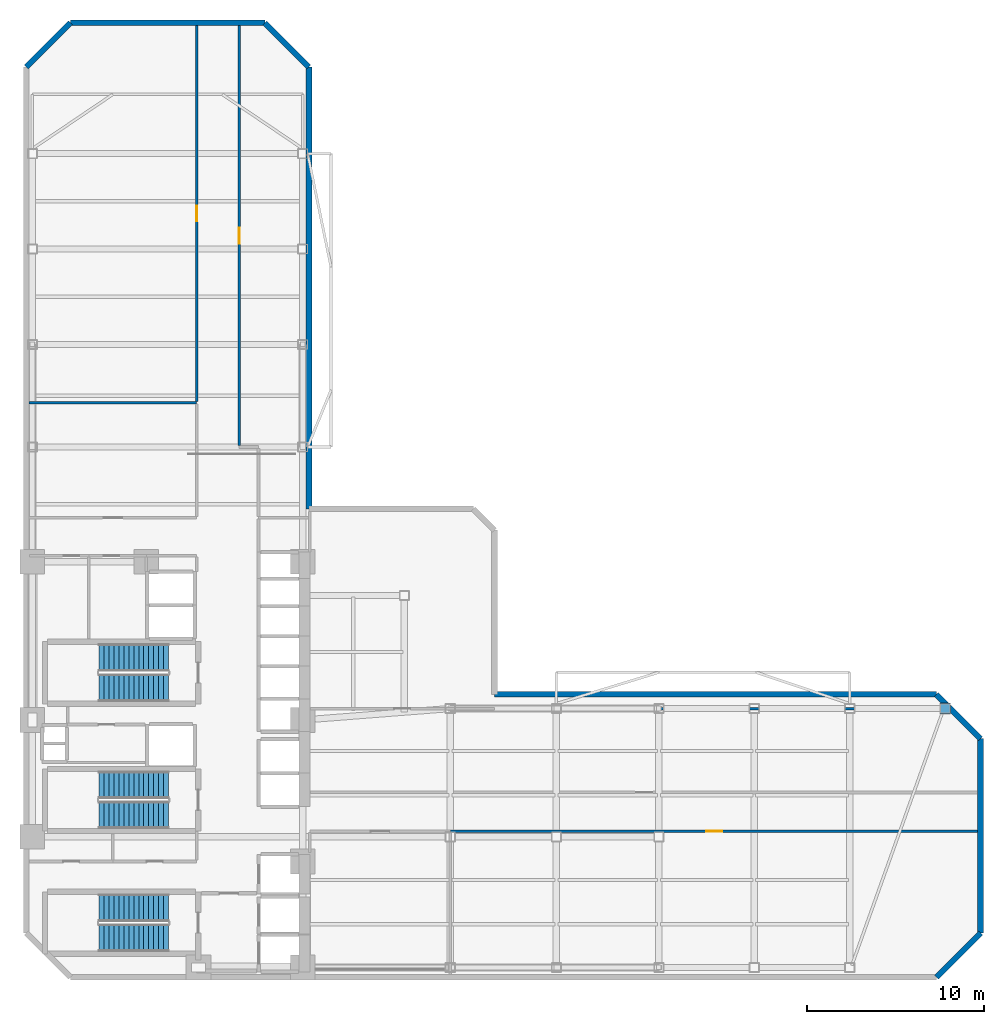
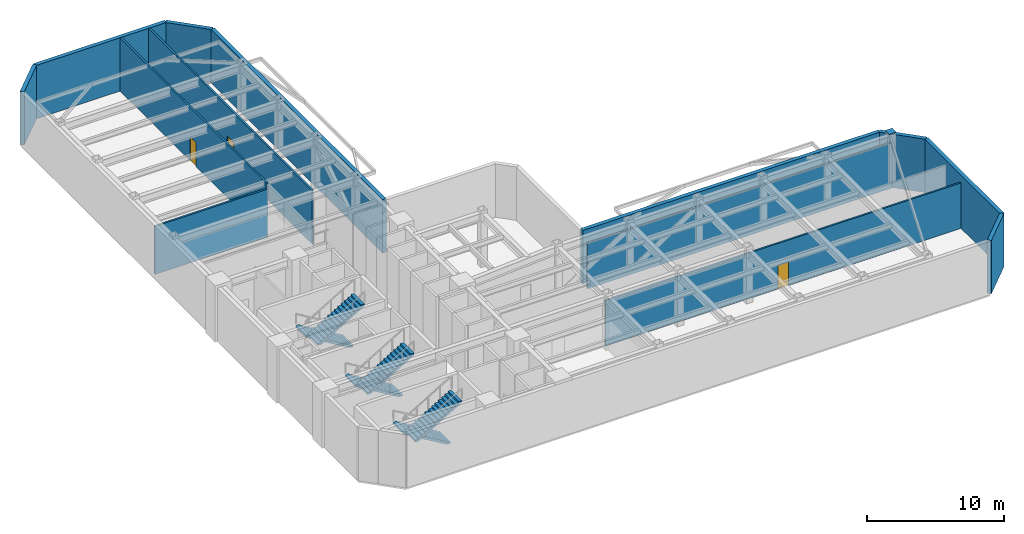
# One storey, part 5 of 7: 13 walls, 6 stair flights, 3 doors, 1 discrete accessory, 3 openings, 3 elements without a shape of their own.
"""IFC4 building model written with IfcOpenShell, lengths in metres."""

from ifc_helpers import new_model, si_unit, direction, frame, frame_2d, origin, origin_2d, place, context, subcontext, project, spatial, polyline, rectangle, outline, extrude, material, layer, layer_set, type_object, element, fill, aggregate, save


model = new_model("IFC4")

# Units and contexts
model_context = context("Model", 3, precision=1e-05, world=origin(), true_north=direction((0.0, 1.0)))
body_context = subcontext(model_context, "Body", "Model", "MODEL_VIEW")
ifc_project = project(units=[si_unit("LENGTHUNIT", "METRE"), si_unit("AREAUNIT", "SQUARE_METRE"), si_unit("VOLUMEUNIT", "CUBIC_METRE"), si_unit("PLANEANGLEUNIT", "RADIAN"), si_unit("MASSUNIT", "GRAM", prefix="KILO")], contexts=[model_context])

# Site, building, storey
site_placement = place(None, origin())
site = spatial("IfcSite", under=ifc_project, at=site_placement, CompositionType="ELEMENT")
building_placement = place(site_placement, origin())
building = spatial("IfcBuilding", under=site, at=building_placement, Name="Mawjaban Terraces University", CompositionType="ELEMENT")
storey_placement = place(building_placement, frame((0.0, 0.0, 93.39990234375)))
storey = spatial("IfcBuildingStorey", under=building, at=storey_placement, Name="L22", CompositionType="ELEMENT", Elevation=93.39990234375)

# Walls
ifc_material_1 = material(Name="Fire-rated gypsum board on steel stud", Category="steel")
ifc_layer_1 = layer(ifc_material_1, 0.159912109375)
ifc_layer_set_1 = layer_set([ifc_layer_1], Name="Fire-rated gypsum board on steel stud")
wall_type_1 = type_object("IfcWallType", Name="CorridorPartition_160", PredefinedType="PARTITIONING", material=ifc_layer_set_1)
wall_1_placement = place(storey_placement, frame((31.64990234375, 32.5, 0.0), z_axis=(0.0, 0.0, 1.0), x_axis=(-1.0, 0.0, 0.0)))
element("IfcWall", 1, at=wall_1_placement, inside=storey, type_object=wall_type_1, Name="L22 Designated Smoke-Protected Refuge Area North Partition 10", PredefinedType="PARTITIONING", context=body_context, shape_type="SweptSolid", body=[
    extrude(rectangle(XDim=9.494873046875, YDim=0.159912109375, at=frame_2d((4.74755859375, 0.0))), origin(), (0.0, 0.0, 1.0), 4.277099609375),
])
ifc_material_2 = material(Name="Insulated terracotta rainscreen on concrete backup C40/50", Category="masonry")
ifc_layer_2 = layer(ifc_material_2, 0.320068359375)
ifc_layer_set_2 = layer_set([ifc_layer_2], Name="Insulated terracotta rainscreen on concrete backup C40/50")
wall_type_2 = type_object("IfcWallType", Name="ExtTerracottaWall_320", PredefinedType="SOLIDWALL", material=ifc_layer_set_2)
wall_2_placement = place(storey_placement, frame((73.5, 0.0, 0.0), z_axis=(0.0, 0.0, 1.0), x_axis=(0.707106781187, 0.707106781187, 0.0)))
element("IfcWall", 2, at=wall_2_placement, inside=storey, type_object=wall_type_2, Name="L22 Exterior Terracotta Wall 2", PredefinedType="SOLIDWALL", context=body_context, shape_type="SweptSolid", body=[
    extrude(rectangle(XDim=3.53564453125, YDim=0.320068359375, at=frame_2d((1.767822265625, 0.0))), origin(), (0.0, 0.0, 1.0), 4.739990234375),
])
wall_3_placement = place(storey_placement, frame((76.0, 2.5, 0.0), z_axis=(0.0, 0.0, 1.0), x_axis=(0.0, 1.0, 0.0)))
element("IfcWall", 3, at=wall_3_placement, inside=storey, type_object=wall_type_2, Name="L22 Exterior Terracotta Wall 3", PredefinedType="SOLIDWALL", context=body_context, shape_type="SweptSolid", body=[
    extrude(rectangle(XDim=11.0, YDim=0.320068359375, at=frame_2d((5.5, 0.0))), origin(), (0.0, 0.0, 1.0), 4.739990234375),
])
wall_4_placement = place(storey_placement, frame((76.0, 13.5, 0.0), z_axis=(0.0, 0.0, 1.0), x_axis=(-0.707106781187, 0.707106781187, 0.0)))
element("IfcWall", 4, at=wall_4_placement, inside=storey, type_object=wall_type_2, Name="L22 Exterior Terracotta Wall 4", PredefinedType="SOLIDWALL", context=body_context, shape_type="SweptSolid", body=[
    extrude(rectangle(XDim=3.53564453125, YDim=0.320068359375, at=frame_2d((1.767822265625, 0.0))), origin(), (0.0, 0.0, 1.0), 4.739990234375),
])
for number, where, z_axis, x_axis, name in (
    (5, (73.5, 16.0, 0.0), (0.0, 0.0, 1.0), (-1.0, 0.0, 0.0), "L22 Exterior Terracotta Wall 5"),
    (6, (38.0, 26.5, 0.0), (0.0, 0.0, 1.0), (0.0, 1.0, 0.0), "L22 Exterior Terracotta Wall 9"),
):
    element("IfcWall", number, at=place(storey_placement, frame(where, z_axis=z_axis, x_axis=x_axis)), inside=storey, type_object=wall_type_2, Name=name, PredefinedType="SOLIDWALL", context=body_context, shape_type="SweptSolid", body=[
        extrude(rectangle(XDim=25.0, YDim=0.320068359375, at=frame_2d((12.5, 0.0))), origin(), (0.0, 0.0, 1.0), 4.739990234375),
    ])
wall_5_placement = place(storey_placement, frame((38.0, 51.5, 0.0), z_axis=(0.0, 0.0, 1.0), x_axis=(-0.707106781187, 0.707106781187, 0.0)))
element("IfcWall", 7, at=wall_5_placement, inside=storey, type_object=wall_type_2, Name="L22 Exterior Terracotta Wall 10", PredefinedType="SOLIDWALL", context=body_context, shape_type="SweptSolid", body=[
    extrude(rectangle(XDim=3.53564453125, YDim=0.320068359375, at=frame_2d((1.767822265625, 0.0))), origin(), (0.0, 0.0, 1.0), 4.739990234375),
])
wall_6_placement = place(storey_placement, frame((35.5, 54.0, 0.0), z_axis=(0.0, 0.0, 1.0), x_axis=(-1.0, 0.0, 0.0)))
element("IfcWall", 8, at=wall_6_placement, inside=storey, type_object=wall_type_2, Name="L22 Exterior Terracotta Wall 11", PredefinedType="SOLIDWALL", context=body_context, shape_type="SweptSolid", body=[
    extrude(rectangle(XDim=11.0, YDim=0.320068359375, at=frame_2d((5.5, 0.0))), origin(), (0.0, 0.0, 1.0), 4.739990234375),
])
wall_7_placement = place(storey_placement, frame((24.5, 54.0, 0.0), z_axis=(0.0, 0.0, 1.0), x_axis=(-0.707106781187, -0.707106781187, 0.0)))
element("IfcWall", 9, at=wall_7_placement, inside=storey, type_object=wall_type_2, Name="L22 Exterior Terracotta Wall 12", PredefinedType="SOLIDWALL", context=body_context, shape_type="SweptSolid", body=[
    extrude(rectangle(XDim=3.53564453125, YDim=0.320068359375, at=frame_2d((1.767822265625, 0.0))), origin(), (0.0, 0.0, 1.0), 4.739990234375),
])

# Wall, opening, door
ifc_material_3 = material(Name="Moisture-resistant gypsum board on steel stud", Category="steel")
ifc_layer_3 = layer(ifc_material_3, 0.14501953125)
ifc_layer_set_3 = layer_set([ifc_layer_3], Name="Moisture-resistant gypsum board on steel stud")
wall_type_3 = type_object("IfcWallType", Name="LabPartition_145", PredefinedType="PARTITIONING", material=ifc_layer_set_3)
wall_8_placement = place(storey_placement, frame((46.0, 8.25, 0.0), z_axis=(0.0, 0.0, 1.0), x_axis=(1.0, 0.0, 0.0)))
wall_8 = element("IfcWall", 10, at=wall_8_placement, inside=storey, type_object=wall_type_3, Name="L22 Mechanical Plant Service Corridor East Partition 15", PredefinedType="PARTITIONING", context=body_context, shape_type="SweptSolid", body=[
    extrude(rectangle(XDim=29.844970703125, YDim=0.14501953125, at=frame_2d((14.92236328125, 0.0))), origin(), (0.0, 0.0, 1.0), 4.045166015625),
])
opening_1_placement = place(wall_8_placement, frame((14.472900390625, 0.0, 0.0)))
opening_1 = element("IfcOpeningElement", 11, at=opening_1_placement, cuts=wall_8, Name="Opening ID-090", PredefinedType="OPENING", context=body_context, shape_type="SweptSolid", body=[
    extrude(rectangle(XDim=0.89990234375, YDim=2.10009765625, at=frame_2d((0.449951171875, 1.050048828125))), frame((0.0, 0.08251953125, 0.0), z_axis=(0.0, -1.0, 0.0), x_axis=(1.0, 0.0, 0.0)), (0.0, 0.0, 1.0), 0.1650390625),
])
ifc_material_4 = material(Name="Powder-coated steel frame and solid acoustic timber leaf", Category="steel")
door_type = type_object("IfcDoorType", Name="OfficeDoor_900x2100", OperationType="NOTDEFINED", PredefinedType="DOOR", material=ifc_material_4)
door_1_placement = place(opening_1_placement, origin())
door_1 = element("IfcDoor", 12, at=door_1_placement, inside=storey, type_object=door_type, Name="L22 Zoned Dedicated Outdoor Air Plant Room Door", OperationType="SINGLE_SWING_RIGHT", OverallHeight=2.10009765625, OverallWidth=0.89990234375, PredefinedType="DOOR", context=body_context, shape_type="SweptSolid", body=[
    extrude(rectangle(XDim=0.89990234375, YDim=2.10009765625, at=frame_2d((0.449951171875, 1.050048828125))), frame((0.0, 0.02490234375, 0.0), z_axis=(0.0, -1.0, 0.0), x_axis=(1.0, 0.0, 0.0)), (0.0, 0.0, 1.0), 0.050048828125),
])
fill(opening_1, door_1)

# Wall
wall_9_placement = place(storey_placement, frame((74.0810546875, 15.199951171875, 0.0), z_axis=(0.0, 0.0, 1.0), x_axis=(-1.0, 0.0, 0.0)))
element("IfcWall", 13, at=wall_9_placement, inside=storey, type_object=wall_type_3, Name="L22 Heat Recovery Ventilation Fan Room Partition 17", PredefinedType="PARTITIONING", context=body_context, shape_type="SweptSolid", body=[
    extrude(rectangle(XDim=25.5810546875, YDim=0.14501953125, at=frame_2d((12.79052734375, 0.0))), origin(), (0.0, 0.0, 1.0), 4.045166015625),
])

# Wall, opening, door
wall_10_placement = place(storey_placement, frame((31.64990234375, 53.844970703125, 0.0), z_axis=(0.0, 0.0, 1.0), x_axis=(0.0, -1.0, 0.0)))
wall_10 = element("IfcWall", 14, at=wall_10_placement, inside=storey, type_object=wall_type_3, Name="L22 Mechanical Plant Service Corridor North Partition 27", PredefinedType="PARTITIONING", context=body_context, shape_type="SweptSolid", body=[
    extrude(rectangle(XDim=21.27001953125, YDim=0.14501953125, at=frame_2d((10.635009765625, 0.0))), origin(), (0.0, 0.0, 1.0), 4.739990234375),
])
opening_2_placement = place(wall_10_placement, frame((10.18505859375, 0.0, 0.0)))
opening_2 = element("IfcOpeningElement", 15, at=opening_2_placement, cuts=wall_10, Name="Opening ID-090", PredefinedType="OPENING", context=body_context, shape_type="SweptSolid", body=[
    extrude(rectangle(XDim=0.89990234375, YDim=2.10009765625, at=frame_2d((0.449951171875, 1.050048828125))), frame((0.0, 0.08251953125, 0.0), z_axis=(0.0, -1.0, 0.0), x_axis=(1.0, 0.0, 0.0)), (0.0, 0.0, 1.0), 0.1650390625),
])
door_2_placement = place(opening_2_placement, origin())
door_2 = element("IfcDoor", 16, at=door_2_placement, inside=storey, type_object=door_type, Name="L22 Zone Electrical Transformer and Switchgear Room Door", OperationType="SINGLE_SWING_RIGHT", OverallHeight=2.10009765625, OverallWidth=0.89990234375, PredefinedType="DOOR", context=body_context, shape_type="SweptSolid", body=[
    extrude(rectangle(XDim=0.89990234375, YDim=2.10009765625, at=frame_2d((0.449951171875, 1.050048828125))), frame((0.0, 0.02490234375, 0.0), z_axis=(0.0, -1.0, 0.0), x_axis=(1.0, 0.0, 0.0)), (0.0, 0.0, 1.0), 0.050048828125),
])
fill(opening_2, door_2)

wall_11_placement = place(storey_placement, frame((34.050048828125, 30.074951171875, 0.0), z_axis=(0.0, 0.0, 1.0), x_axis=(0.0, 1.0, 0.0)))
wall_11 = element("IfcWall", 17, at=wall_11_placement, inside=storey, type_object=wall_type_3, Name="L22 Mechanical Plant Service Corridor North Partition 28", PredefinedType="PARTITIONING", context=body_context, shape_type="SweptSolid", body=[
    extrude(rectangle(XDim=23.77001953125, YDim=0.14501953125, at=frame_2d((11.885009765625, 0.0))), origin(), (0.0, 0.0, 1.0), 4.739990234375),
])
opening_3_placement = place(wall_11_placement, frame((11.43505859375, 0.0, 0.0)))
opening_3 = element("IfcOpeningElement", 18, at=opening_3_placement, cuts=wall_11, Name="Opening ID-090", PredefinedType="OPENING", context=body_context, shape_type="SweptSolid", body=[
    extrude(rectangle(XDim=0.89990234375, YDim=2.10009765625, at=frame_2d((0.449951171875, 1.050048828125))), frame((0.0, 0.08251953125, 0.0), z_axis=(0.0, -1.0, 0.0), x_axis=(1.0, 0.0, 0.0)), (0.0, 0.0, 1.0), 0.1650390625),
])
door_3_placement = place(opening_3_placement, origin())
door_3 = element("IfcDoor", 19, at=door_3_placement, inside=storey, type_object=door_type, Name="L22 Intermediate Chilled Water Heat Exchanger Room Door", OperationType="SINGLE_SWING_LEFT", OverallHeight=2.10009765625, OverallWidth=0.89990234375, PredefinedType="DOOR", context=body_context, shape_type="SweptSolid", body=[
    extrude(rectangle(XDim=0.89990234375, YDim=2.10009765625, at=frame_2d((0.449951171875, 1.050048828125))), frame((0.0, 0.02490234375, 0.0), z_axis=(0.0, -1.0, 0.0), x_axis=(1.0, 0.0, 0.0)), (0.0, 0.0, 1.0), 0.050048828125),
])
fill(opening_3, door_3)

# Stair, stair flights
ifc_material_5 = material(Name="Concrete C40/50", Category="concrete")
stair_type = type_object("IfcStairType", Name="Stair_Core1550_H50", PredefinedType="HALF_TURN_STAIR", material=ifc_material_5)
stair_1_placement = place(storey_placement, origin())
stair_1 = element("IfcStair", 20, at=stair_1_placement, inside=storey, type_object=stair_type, Name="L22 Core Exit Stair 1", PredefinedType="HALF_TURN_STAIR")
stair_flight_type = type_object("IfcStairFlightType", Name="Flight_Core1550_H50", PredefinedType="STRAIGHT", material=ifc_material_5)
stair_flight_1_placement = place(storey_placement, frame((30.050048828125, 3.925048828125, 0.0), z_axis=(0.0, 0.0, 1.0), x_axis=(-1.0, 0.0, 0.0)))
stair_flight_1 = element("IfcStairFlight", 21, at=stair_flight_1_placement, type_object=stair_flight_type, Name="ST-1 flight 1", NumberOfRisers=15, NumberOfTreads=14, PredefinedType="STRAIGHT", RiserHeight=0.166666667, TreadLength=0.28, context=body_context, shape_type="SweptSolid", body=[
    extrude(outline(polyline([(0.0, 0.0), (0.0, 0.166748046875), (0.280029296875, 0.166748046875), (0.280029296875, 0.333251953125), (0.56005859375, 0.333251953125), (0.56005859375, 0.5), (0.840087890625, 0.5), (0.840087890625, 0.666748046875), (1.1201171875, 0.666748046875), (1.1201171875, 0.833251953125), (1.39990234375, 0.833251953125), (1.39990234375, 1.0), (1.679931640625, 1.0), (1.679931640625, 1.166748046875), (1.9599609375, 1.166748046875), (1.9599609375, 1.333251953125), (2.239990234375, 1.333251953125), (2.239990234375, 1.5), (2.52001953125, 1.5), (2.52001953125, 1.666748046875), (2.800048828125, 1.666748046875), (2.800048828125, 1.833251953125), (3.080078125, 1.833251953125), (3.080078125, 2.0), (3.360107421875, 2.0), (3.360107421875, 2.166748046875), (3.639892578125, 2.166748046875), (3.639892578125, 2.333251953125), (3.919921875, 2.333251953125), (3.919921875, 2.5), (3.919921875, 2.158935546875), (0.29296875, 0.0), (0.0, 0.0)])), frame((0.0, 0.77490234375, 0.0), z_axis=(0.0, -1.0, 0.0), x_axis=(1.0, 0.0, 0.0)), (0.0, 0.0, 1.0), 1.550048828125),
])
stair_flight_2_placement = place(storey_placement, frame((26.1298828125, 2.22509765625, 2.5), z_axis=(0.0, 0.0, 1.0), x_axis=(1.0, 0.0, 0.0)))
stair_flight_2 = element("IfcStairFlight", 22, at=stair_flight_2_placement, type_object=stair_flight_type, Name="ST-1 flight 2", NumberOfRisers=15, NumberOfTreads=14, PredefinedType="STRAIGHT", RiserHeight=0.166666667, TreadLength=0.28, context=body_context, shape_type="SweptSolid", body=[
    extrude(outline(polyline([(0.0, 0.0), (0.0, 0.166748046875), (0.280029296875, 0.166748046875), (0.280029296875, 0.333251953125), (0.56005859375, 0.333251953125), (0.56005859375, 0.5), (0.840087890625, 0.5), (0.840087890625, 0.666748046875), (1.1201171875, 0.666748046875), (1.1201171875, 0.833251953125), (1.39990234375, 0.833251953125), (1.39990234375, 1.0), (1.679931640625, 1.0), (1.679931640625, 1.166748046875), (1.9599609375, 1.166748046875), (1.9599609375, 1.333251953125), (2.239990234375, 1.333251953125), (2.239990234375, 1.5), (2.52001953125, 1.5), (2.52001953125, 1.666748046875), (2.800048828125, 1.666748046875), (2.800048828125, 1.833251953125), (3.080078125, 1.833251953125), (3.080078125, 2.0), (3.360107421875, 2.0), (3.360107421875, 2.166748046875), (3.639892578125, 2.166748046875), (3.639892578125, 2.333251953125), (3.919921875, 2.333251953125), (3.919921875, 2.5), (3.919921875, 2.158935546875), (0.29296875, 0.0), (0.0, 0.0)])), frame((0.0, 0.77490234375, 0.0), z_axis=(0.0, -1.0, 0.0), x_axis=(1.0, 0.0, 0.0)), (0.0, 0.0, 1.0), 1.550048828125),
])
aggregate(stair_1, [stair_flight_1, stair_flight_2])

stair_2_placement = place(storey_placement, origin())
stair_2 = element("IfcStair", 23, at=stair_2_placement, inside=storey, type_object=stair_type, Name="L22 Core Exit Stair 2", PredefinedType="HALF_TURN_STAIR")
stair_flight_3_placement = place(storey_placement, frame((30.050048828125, 18.074951171875, 0.0), z_axis=(0.0, 0.0, 1.0), x_axis=(-1.0, 0.0, 0.0)))
stair_flight_3 = element("IfcStairFlight", 24, at=stair_flight_3_placement, type_object=stair_flight_type, Name="ST-2 flight 1", NumberOfRisers=15, NumberOfTreads=14, PredefinedType="STRAIGHT", RiserHeight=0.166666667, TreadLength=0.28, context=body_context, shape_type="SweptSolid", body=[
    extrude(outline(polyline([(0.0, 0.0), (0.0, 0.166748046875), (0.280029296875, 0.166748046875), (0.280029296875, 0.333251953125), (0.56005859375, 0.333251953125), (0.56005859375, 0.5), (0.840087890625, 0.5), (0.840087890625, 0.666748046875), (1.1201171875, 0.666748046875), (1.1201171875, 0.833251953125), (1.39990234375, 0.833251953125), (1.39990234375, 1.0), (1.679931640625, 1.0), (1.679931640625, 1.166748046875), (1.9599609375, 1.166748046875), (1.9599609375, 1.333251953125), (2.239990234375, 1.333251953125), (2.239990234375, 1.5), (2.52001953125, 1.5), (2.52001953125, 1.666748046875), (2.800048828125, 1.666748046875), (2.800048828125, 1.833251953125), (3.080078125, 1.833251953125), (3.080078125, 2.0), (3.360107421875, 2.0), (3.360107421875, 2.166748046875), (3.639892578125, 2.166748046875), (3.639892578125, 2.333251953125), (3.919921875, 2.333251953125), (3.919921875, 2.5), (3.919921875, 2.158935546875), (0.29296875, 0.0), (0.0, 0.0)])), frame((0.0, 0.77490234375, 0.0), z_axis=(0.0, -1.0, 0.0), x_axis=(1.0, 0.0, 0.0)), (0.0, 0.0, 1.0), 1.550048828125),
])
stair_flight_4_placement = place(storey_placement, frame((26.1298828125, 16.375, 2.5), z_axis=(0.0, 0.0, 1.0), x_axis=(1.0, 0.0, 0.0)))
stair_flight_4 = element("IfcStairFlight", 25, at=stair_flight_4_placement, type_object=stair_flight_type, Name="ST-2 flight 2", NumberOfRisers=15, NumberOfTreads=14, PredefinedType="STRAIGHT", RiserHeight=0.166666667, TreadLength=0.28, context=body_context, shape_type="SweptSolid", body=[
    extrude(outline(polyline([(0.0, 0.0), (0.0, 0.166748046875), (0.280029296875, 0.166748046875), (0.280029296875, 0.333251953125), (0.56005859375, 0.333251953125), (0.56005859375, 0.5), (0.840087890625, 0.5), (0.840087890625, 0.666748046875), (1.1201171875, 0.666748046875), (1.1201171875, 0.833251953125), (1.39990234375, 0.833251953125), (1.39990234375, 1.0), (1.679931640625, 1.0), (1.679931640625, 1.166748046875), (1.9599609375, 1.166748046875), (1.9599609375, 1.333251953125), (2.239990234375, 1.333251953125), (2.239990234375, 1.5), (2.52001953125, 1.5), (2.52001953125, 1.666748046875), (2.800048828125, 1.666748046875), (2.800048828125, 1.833251953125), (3.080078125, 1.833251953125), (3.080078125, 2.0), (3.360107421875, 2.0), (3.360107421875, 2.166748046875), (3.639892578125, 2.166748046875), (3.639892578125, 2.333251953125), (3.919921875, 2.333251953125), (3.919921875, 2.5), (3.919921875, 2.158935546875), (0.29296875, 0.0), (0.0, 0.0)])), frame((0.0, 0.77490234375, 0.0), z_axis=(0.0, -1.0, 0.0), x_axis=(1.0, 0.0, 0.0)), (0.0, 0.0, 1.0), 1.550048828125),
])
aggregate(stair_2, [stair_flight_3, stair_flight_4])

stair_3_placement = place(storey_placement, origin())
stair_3 = element("IfcStair", 26, at=stair_3_placement, inside=storey, type_object=stair_type, Name="L22 Core Exit Stair 3", PredefinedType="HALF_TURN_STAIR")
stair_flight_5_placement = place(storey_placement, frame((30.050048828125, 10.875, 0.0), z_axis=(0.0, 0.0, 1.0), x_axis=(-1.0, 0.0, 0.0)))
stair_flight_5 = element("IfcStairFlight", 27, at=stair_flight_5_placement, type_object=stair_flight_type, Name="ST-3 flight 1", NumberOfRisers=15, NumberOfTreads=14, PredefinedType="STRAIGHT", RiserHeight=0.166666667, TreadLength=0.28, context=body_context, shape_type="SweptSolid", body=[
    extrude(outline(polyline([(0.0, 0.0), (0.0, 0.166748046875), (0.280029296875, 0.166748046875), (0.280029296875, 0.333251953125), (0.56005859375, 0.333251953125), (0.56005859375, 0.5), (0.840087890625, 0.5), (0.840087890625, 0.666748046875), (1.1201171875, 0.666748046875), (1.1201171875, 0.833251953125), (1.39990234375, 0.833251953125), (1.39990234375, 1.0), (1.679931640625, 1.0), (1.679931640625, 1.166748046875), (1.9599609375, 1.166748046875), (1.9599609375, 1.333251953125), (2.239990234375, 1.333251953125), (2.239990234375, 1.5), (2.52001953125, 1.5), (2.52001953125, 1.666748046875), (2.800048828125, 1.666748046875), (2.800048828125, 1.833251953125), (3.080078125, 1.833251953125), (3.080078125, 2.0), (3.360107421875, 2.0), (3.360107421875, 2.166748046875), (3.639892578125, 2.166748046875), (3.639892578125, 2.333251953125), (3.919921875, 2.333251953125), (3.919921875, 2.5), (3.919921875, 2.158935546875), (0.29296875, 0.0), (0.0, 0.0)])), frame((0.0, 0.77490234375, 0.0), z_axis=(0.0, -1.0, 0.0), x_axis=(1.0, 0.0, 0.0)), (0.0, 0.0, 1.0), 1.550048828125),
])
stair_flight_6_placement = place(storey_placement, frame((26.1298828125, 9.175048828125, 2.5), z_axis=(0.0, 0.0, 1.0), x_axis=(1.0, 0.0, 0.0)))
stair_flight_6 = element("IfcStairFlight", 28, at=stair_flight_6_placement, type_object=stair_flight_type, Name="ST-3 flight 2", NumberOfRisers=15, NumberOfTreads=14, PredefinedType="STRAIGHT", RiserHeight=0.166666667, TreadLength=0.28, context=body_context, shape_type="SweptSolid", body=[
    extrude(outline(polyline([(0.0, 0.0), (0.0, 0.166748046875), (0.280029296875, 0.166748046875), (0.280029296875, 0.333251953125), (0.56005859375, 0.333251953125), (0.56005859375, 0.5), (0.840087890625, 0.5), (0.840087890625, 0.666748046875), (1.1201171875, 0.666748046875), (1.1201171875, 0.833251953125), (1.39990234375, 0.833251953125), (1.39990234375, 1.0), (1.679931640625, 1.0), (1.679931640625, 1.166748046875), (1.9599609375, 1.166748046875), (1.9599609375, 1.333251953125), (2.239990234375, 1.333251953125), (2.239990234375, 1.5), (2.52001953125, 1.5), (2.52001953125, 1.666748046875), (2.800048828125, 1.666748046875), (2.800048828125, 1.833251953125), (3.080078125, 1.833251953125), (3.080078125, 2.0), (3.360107421875, 2.0), (3.360107421875, 2.166748046875), (3.639892578125, 2.166748046875), (3.639892578125, 2.333251953125), (3.919921875, 2.333251953125), (3.919921875, 2.5), (3.919921875, 2.158935546875), (0.29296875, 0.0), (0.0, 0.0)])), frame((0.0, 0.77490234375, 0.0), z_axis=(0.0, -1.0, 0.0), x_axis=(1.0, 0.0, 0.0)), (0.0, 0.0, 1.0), 1.550048828125),
])
aggregate(stair_3, [stair_flight_5, stair_flight_6])

# Discrete accessory
ifc_material_6 = material(Name="Steel ASTM A572 Grade 50", Category="steel")
ifc_layer_4 = layer(ifc_material_6, 0.0400390625)
ifc_layer_set_4 = layer_set([ifc_layer_4], Name="Steel ASTM A572 Grade 50")
discrete_accessory_type = type_object("IfcDiscreteAccessoryType", Name="HollowSectionEndCap_40", PredefinedType="BRACKET", material=ifc_layer_set_4)
discrete_accessory_placement = place(storey_placement, frame((74.0, 15.199951171875, 4.97998046875), z_axis=(0.0, 0.0, 1.0), x_axis=(1.0, 0.0, 0.0)))
element("IfcDiscreteAccessory", 29, at=discrete_accessory_placement, inside=storey, type_object=discrete_accessory_type, Name="L22 Hollow Section End Cap Plate CAP-L22-740", PredefinedType="BRACKET", context=body_context, shape_type="SweptSolid", body=[
    extrude(rectangle(XDim=0.60009765625, YDim=0.60009765625, at=origin_2d()), origin(), (0.0, 0.0, 1.0), 0.0400390625),
])

save(model, "model.ifc")
